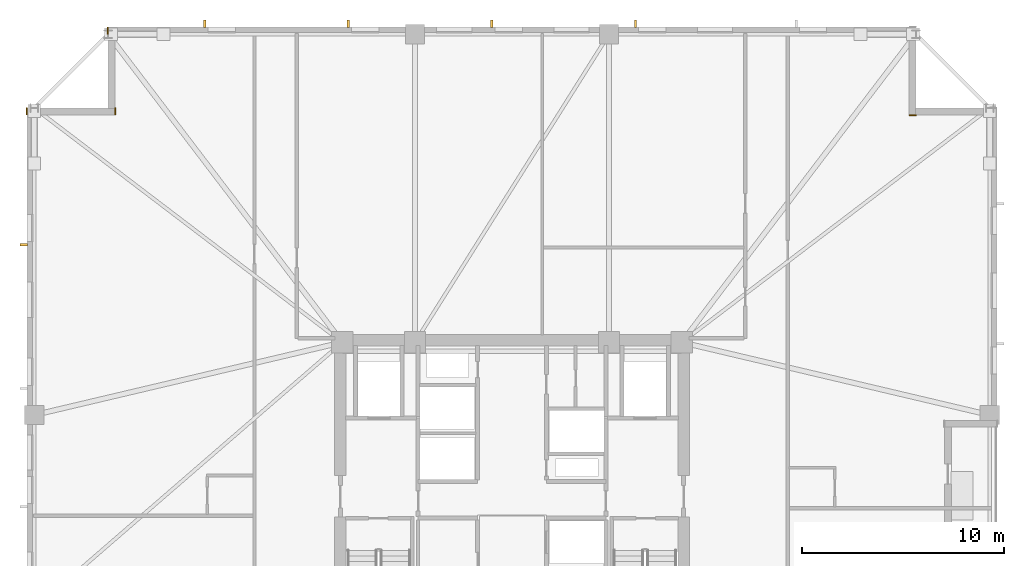
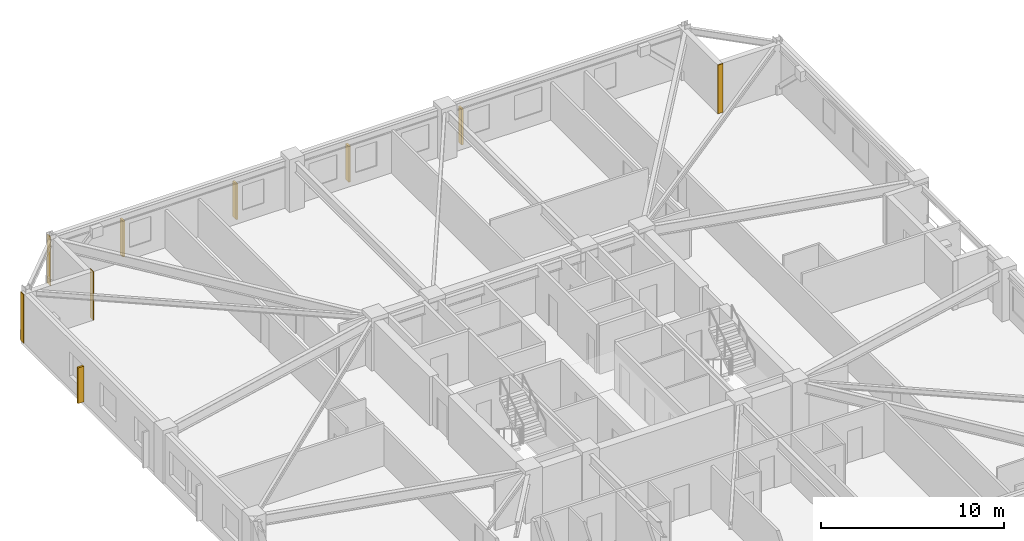
# One storey, part 10 of 11: 5 shading devices, 4 coverings.
"""IFC4 building model written with IfcOpenShell, lengths in metres."""

from ifc_helpers import new_model, si_unit, direction, frame, frame_2d, origin, origin_2d, place, context, subcontext, project, spatial, rectangle, extrude, material, layer, layer_set, type_object, element, save


model = new_model("IFC4")

# Units and contexts
model_context = context("Model", 3, precision=1e-05, world=origin(), true_north=direction((0.0, 1.0)))
body_context = subcontext(model_context, "Body", "Model", "MODEL_VIEW")
ifc_project = project(units=[si_unit("LENGTHUNIT", "METRE"), si_unit("AREAUNIT", "SQUARE_METRE"), si_unit("VOLUMEUNIT", "CUBIC_METRE"), si_unit("PLANEANGLEUNIT", "RADIAN"), si_unit("MASSUNIT", "GRAM", prefix="KILO")], contexts=[model_context])

# Site, building, storey
site_placement = place(None, origin())
site = spatial("IfcSite", under=ifc_project, at=site_placement, CompositionType="ELEMENT")
building_placement = place(site_placement, origin())
building = spatial("IfcBuilding", under=site, at=building_placement, Name="Cairnveth Concourse Tower", CompositionType="ELEMENT")
storey_placement = place(building_placement, frame((0.0, 0.0, 190.0)))
storey = spatial("IfcBuildingStorey", under=building, at=storey_placement, Name="L52", CompositionType="ELEMENT", Elevation=190.0)

# Coverings
ifc_material_1 = material(Name="Dressed Melbourne Bluestone Cladding", Category="masonry")
ifc_layer = layer(ifc_material_1, 0.050048828125)
ifc_layer_set = layer_set([ifc_layer], Name="Dressed Melbourne Bluestone Cladding")
covering_type = type_object("IfcCoveringType", Name="DRESSED BLUESTONE PLINTH CLADDING 50", PredefinedType="CLADDING", material=ifc_layer_set)
for number, where, z_axis, x_axis, name in (
    (1, (27.97998046875, 58.659912109375, 0.0), (0.0, 0.0, 1.0), (0.0, 1.0, 0.0), "Melbourne Bluestone Corner Quoin L52-778"),
    (2, (32.360107421875, 58.659912109375, 0.0), (0.0, 0.0, 1.0), (0.0, 1.0, 0.0), "Melbourne Bluestone Corner Quoin L52-779"),
    (3, (31.97998046875, 62.659912109375, 0.0), (0.0, 0.0, 1.0), (0.0, 1.0, 0.0), "Melbourne Bluestone Corner Quoin L52-780"),
    (4, (71.659912109375, 58.639892578125, 0.0), (0.0, 0.0, 1.0), (1.0, 0.0, 0.0), "Melbourne Bluestone Corner Quoin L52-782"),
):
    element("IfcCovering", number, at=place(storey_placement, frame(where, z_axis=z_axis, x_axis=x_axis)), inside=storey, type_object=covering_type, Name=name, PredefinedType="CLADDING", context=body_context, shape_type="SweptSolid", body=[
        extrude(rectangle(XDim=0.340087890625, YDim=0.050048828125, at=frame_2d((0.169921875, 0.0))), origin(), (0.0, 0.0, 1.0), 3.239990234375),
    ])

# Shading devices
ifc_material_2 = material(Name="Architectural Bronze Anodised Aluminium 6063-T6", Category="aluminium")
shading_device_type = type_object("IfcShadingDeviceType", Name="GOTHIC BRONZE VERTICAL LANCET FIN", PredefinedType="USERDEFINED", material=ifc_material_2)
for number, where, z_axis, x_axis, name in (
    (5, (27.824951171875, 52.22021484375, 0.030029296875), (0.0, 0.0, 1.0), (0.0, 1.0, 0.0), "Gothic Bronze Vertical Fin L52-6-9"),
    (6, (36.791748046875, 63.175048828125, 0.030029296875), (0.0, 0.0, 1.0), (1.0, 0.0, 0.0), "Gothic Bronze Vertical Fin L52-9-1"),
    (7, (43.89892578125, 63.175048828125, 0.030029296875), (0.0, 0.0, 1.0), (1.0, 0.0, 0.0), "Gothic Bronze Vertical Fin L52-9-3"),
    (8, (51.006103515625, 63.175048828125, 0.030029296875), (0.0, 0.0, 1.0), (1.0, 0.0, 0.0), "Gothic Bronze Vertical Fin L52-9-5"),
    (9, (58.113037109375, 63.175048828125, 0.030029296875), (0.0, 0.0, 1.0), (1.0, 0.0, 0.0), "Gothic Bronze Vertical Fin L52-9-7"),
):
    element("IfcShadingDevice", number, at=place(storey_placement, frame(where, z_axis=z_axis, x_axis=x_axis)), inside=storey, type_object=shading_device_type, Name=name, ObjectType="VERTICAL FIN", PredefinedType="USERDEFINED", context=body_context, shape_type="SweptSolid", body=[
        extrude(rectangle(XDim=0.1201171875, YDim=0.360107421875, at=origin_2d()), origin(), (0.0, 0.0, 1.0), 2.3798828125),
    ])

save(model, "model.ifc")
